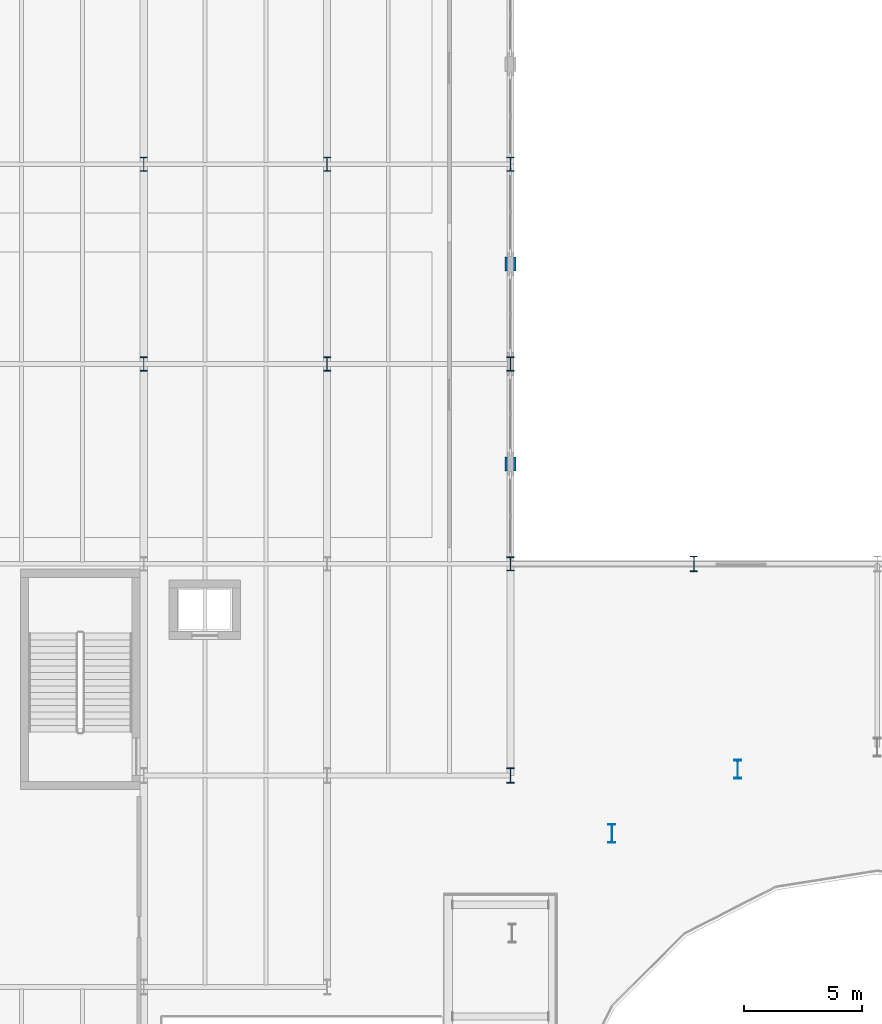
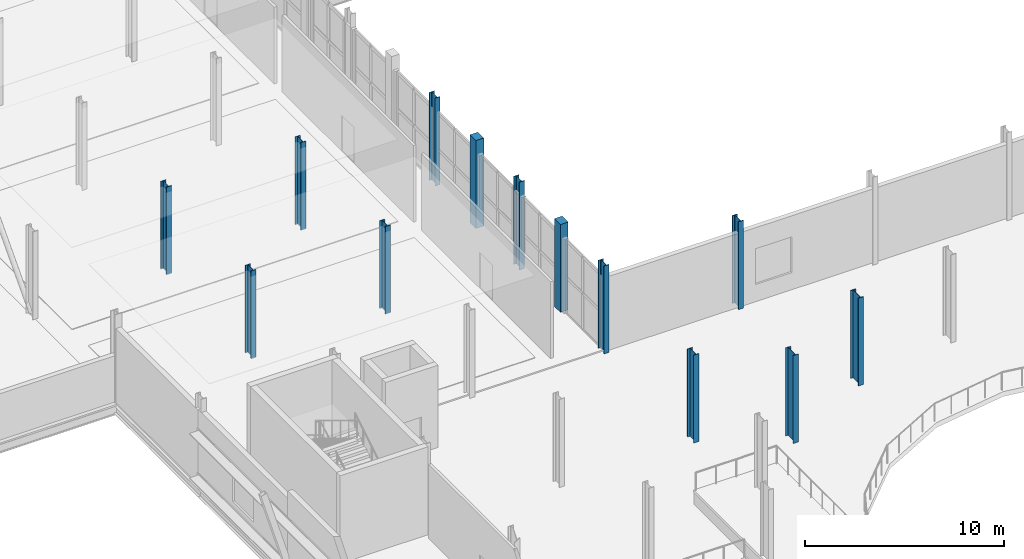
# One storey, part 3 of 78: 13 columns.
"""IFC4 building model written with IfcOpenShell, lengths in metres."""

from ifc_helpers import new_model, si_unit, direction, frame, origin, origin_2d, place, context, subcontext, project, spatial, rectangle, i_section, extrude, material, material_profile, profile_set, type_object, element, save


model = new_model("IFC4")

# Units and contexts
model_context = context("Model", 3, precision=1e-05, world=origin(), true_north=direction((0.0, 1.0)))
body_context = subcontext(model_context, "Body", "Model", "MODEL_VIEW")
ifc_project = project(units=[si_unit("LENGTHUNIT", "METRE"), si_unit("AREAUNIT", "SQUARE_METRE"), si_unit("VOLUMEUNIT", "CUBIC_METRE"), si_unit("PLANEANGLEUNIT", "RADIAN"), si_unit("MASSUNIT", "GRAM", prefix="KILO")], contexts=[model_context])

# Site, building, storey
site_placement = place(None, origin())
site = spatial("IfcSite", under=ifc_project, at=site_placement, CompositionType="ELEMENT")
building_placement = place(site_placement, origin())
building = spatial("IfcBuilding", under=site, at=building_placement, Name="Sefraquen Railside Congress Hotel", CompositionType="ELEMENT")
storey_placement = place(building_placement, frame((0.0, 0.0, 6.0)))
storey = spatial("IfcBuildingStorey", under=building, at=storey_placement, Name="L01", CompositionType="ELEMENT", Elevation=6.0)

# Columns
ifc_material_1 = material(Name="Steel S355JR", Category="steel")
ifc_material_profile_1 = material_profile(ifc_material_1, i_section(OverallWidth=0.300048828125, OverallDepth=0.60009765625, WebThickness=0.015380859375, FlangeThickness=0.030029296875, FilletRadius=0.027099609375, at=origin_2d()), Name="HEB 600")
ifc_profile_set_1 = profile_set([ifc_material_profile_1], Name="Steel S355JR")
column_type_1 = type_object("IfcColumnType", Name="TC-HEB-600", PredefinedType="COLUMN", material=ifc_profile_set_1)
for number, where, z_axis, x_axis, name in (
    (1, (33.0, 62.5, 0.0), (0.0, 0.0, 1.0), (1.0, 0.0, 0.0), "Structural column 5-H L01"),
    (2, (33.0, 71.0, 0.0), (0.0, 0.0, 1.0), (1.0, 0.0, 0.0), "Structural column 5-J L01"),
    (3, (40.800048828125, 62.5, 0.0), (0.0, 0.0, 1.0), (1.0, 0.0, 0.0), "Structural column 6-H L01"),
    (4, (40.800048828125, 71.0, 0.0), (0.0, 0.0, 1.0), (1.0, 0.0, 0.0), "Structural column 6-J L01"),
    (5, (48.60009765625, 54.0, 0.0), (0.0, 0.0, 1.0), (1.0, 0.0, 0.0), "Structural column 7-G L01"),
    (6, (48.60009765625, 62.5, 0.0), (0.0, 0.0, 1.0), (1.0, 0.0, 0.0), "Structural column 7-H L01"),
    (7, (48.60009765625, 71.0, 0.0), (0.0, 0.0, 1.0), (1.0, 0.0, 0.0), "Structural column 7-J L01"),
):
    element("IfcColumn", number, at=place(storey_placement, frame(where, z_axis=z_axis, x_axis=x_axis)), inside=storey, type_object=column_type_1, Name=name, PredefinedType="COLUMN", context=body_context, shape_type="SweptSolid", body=[
        extrude(i_section(OverallWidth=0.300048828125, OverallDepth=0.60009765625, WebThickness=0.015380859375, FlangeThickness=0.030029296875, FilletRadius=0.027099609375, at=origin_2d()), origin(), (0.0, 0.0, 1.0), 5.39990234375),
    ])
ifc_material_profile_2 = material_profile(ifc_material_1, i_section(OverallWidth=0.300048828125, OverallDepth=0.64990234375, WebThickness=0.01611328125, FlangeThickness=0.031005859375, FilletRadius=0.027099609375, at=origin_2d()), Name="HEB 650")
ifc_profile_set_2 = profile_set([ifc_material_profile_2], Name="Steel S355JR")
column_type_2 = type_object("IfcColumnType", Name="TC-HEB-650", PredefinedType="COLUMN", material=ifc_profile_set_2)
for number, where, z_axis, x_axis, name in (
    (8, (48.60009765625, 45.0, 0.0), (0.0, 0.0, 1.0), (1.0, 0.0, 0.0), "Structural column 7-F L01"),
    (9, (56.39990234375, 54.0, 0.0), (0.0, 0.0, 1.0), (1.0, 0.0, 0.0), "Structural column 8-G L01"),
):
    element("IfcColumn", number, at=place(storey_placement, frame(where, z_axis=z_axis, x_axis=x_axis)), inside=storey, type_object=column_type_2, Name=name, PredefinedType="COLUMN", context=body_context, shape_type="SweptSolid", body=[
        extrude(i_section(OverallWidth=0.300048828125, OverallDepth=0.64990234375, WebThickness=0.01611328125, FlangeThickness=0.031005859375, FilletRadius=0.027099609375, at=origin_2d()), origin(), (0.0, 0.0, 1.0), 5.39990234375),
    ])
ifc_material_profile_3 = material_profile(ifc_material_1, i_section(OverallWidth=0.300048828125, OverallDepth=0.800048828125, WebThickness=0.017578125, FlangeThickness=0.032958984375, FilletRadius=0.030029296875, at=origin_2d()), Name="HEB 800")
ifc_profile_set_3 = profile_set([ifc_material_profile_3], Name="Steel S355JR")
column_type_3 = type_object("IfcColumnType", Name="TC-HEB-800", PredefinedType="COLUMN", material=ifc_profile_set_3)
for number, where, z_axis, x_axis, name in (
    (10, (58.266845703125, 45.26025390625, 0.0), (0.0, 0.0, 1.0), (1.0, 0.0, 0.0), "Structural column DRM-07 L01"),
    (11, (52.91455078125, 42.533203125, 0.0), (0.0, 0.0, 1.0), (1.0, 0.0, 0.0), "Structural column DRM-08 L01"),
):
    element("IfcColumn", number, at=place(storey_placement, frame(where, z_axis=z_axis, x_axis=x_axis)), inside=storey, type_object=column_type_3, Name=name, PredefinedType="COLUMN", context=body_context, shape_type="SweptSolid", body=[
        extrude(i_section(OverallWidth=0.300048828125, OverallDepth=0.800048828125, WebThickness=0.017578125, FlangeThickness=0.032958984375, FilletRadius=0.030029296875, at=origin_2d()), origin(), (0.0, 0.0, 1.0), 5.39990234375),
    ])
ifc_material_2 = material(Name="Concrete C50/60", Category="concrete")
ifc_material_profile_4 = material_profile(ifc_material_2, rectangle(XDim=0.449951171875, YDim=0.60009765625, at=origin_2d()), Name="RC 600x450")
ifc_profile_set_4 = profile_set([ifc_material_profile_4], Name="Concrete C50/60")
column_type_4 = type_object("IfcColumnType", Name="TC-PIL-600", PredefinedType="PILASTER", material=ifc_profile_set_4)
for number, where, z_axis, x_axis, name in (
    (12, (48.60009765625, 58.25, 0.0), (0.0, 0.0, 1.0), (1.0, 0.0, 0.0), "Courtyard limestone pilaster CPIL-W1 L01"),
    (13, (48.60009765625, 66.75, 0.0), (0.0, 0.0, 1.0), (1.0, 0.0, 0.0), "Courtyard limestone pilaster CPIL-W2 L01"),
):
    element("IfcColumn", number, at=place(storey_placement, frame(where, z_axis=z_axis, x_axis=x_axis)), inside=storey, type_object=column_type_4, Name=name, PredefinedType="PILASTER", context=body_context, shape_type="SweptSolid", body=[
        extrude(rectangle(XDim=0.449951171875, YDim=0.60009765625, at=origin_2d()), origin(), (0.0, 0.0, 1.0), 5.39990234375),
    ])

save(model, "model.ifc")
